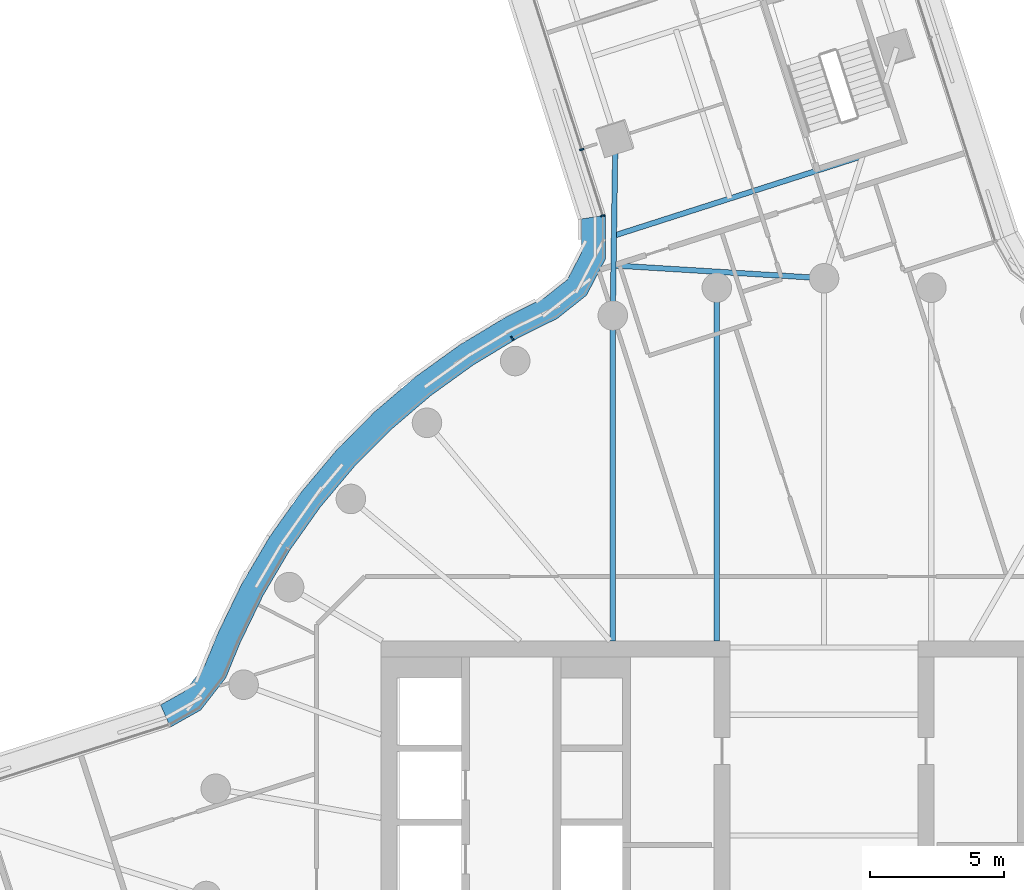
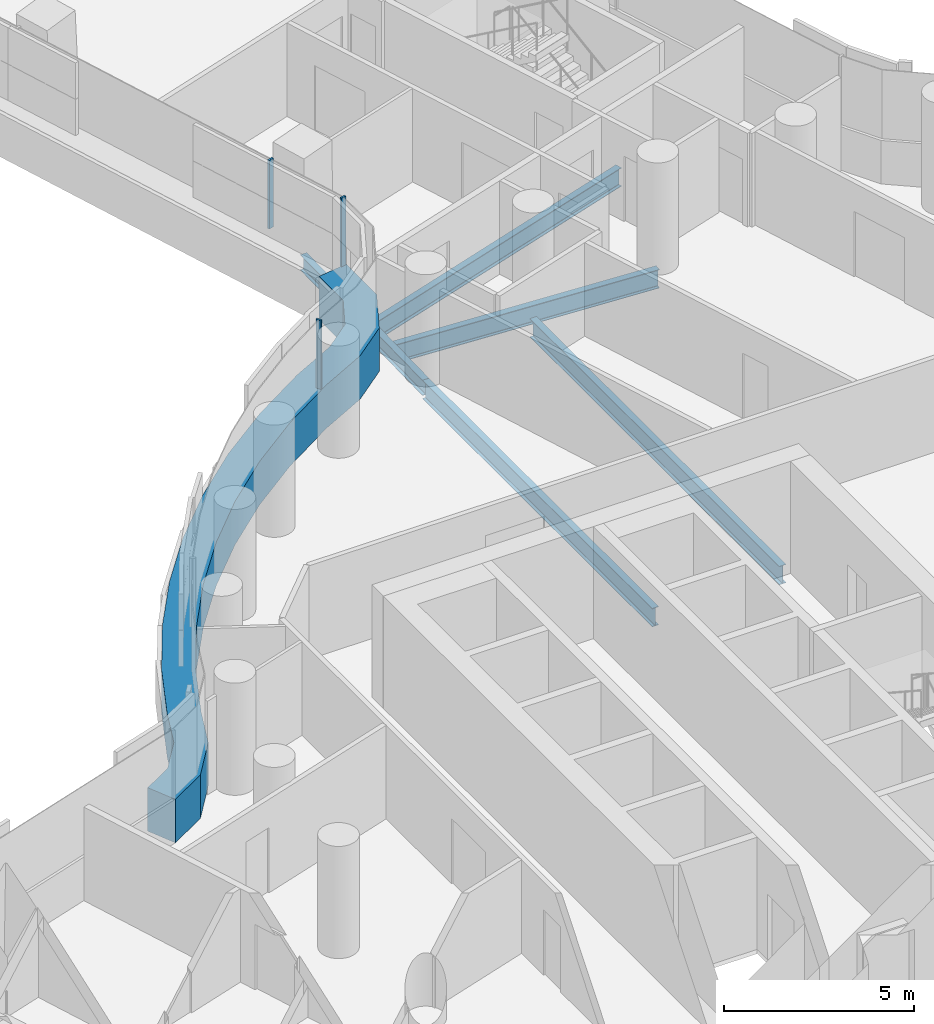
# One storey, part 13 of 30: 5 beams, 4 members, 2 elements without a shape of their own.
"""IFC4 building model written with IfcOpenShell, lengths in metres."""

from ifc_helpers import new_model, si_unit, direction, frame, origin, origin_2d, place, context, subcontext, project, spatial, polyline, rectangle, i_section, outline, extrude, material, layer, layer_set, material_profile, profile_set, type_object, element, aggregate, save


model = new_model("IFC4")

# Units and contexts
model_context = context("Model", 3, precision=1e-05, world=origin(), true_north=direction((0.0, 1.0)))
body_context = subcontext(model_context, "Body", "Model", "MODEL_VIEW")
ifc_project = project(units=[si_unit("LENGTHUNIT", "METRE"), si_unit("AREAUNIT", "SQUARE_METRE"), si_unit("VOLUMEUNIT", "CUBIC_METRE"), si_unit("PLANEANGLEUNIT", "RADIAN"), si_unit("MASSUNIT", "GRAM", prefix="KILO")], contexts=[model_context])

# Site, building, storey
site_placement = place(None, origin())
site = spatial("IfcSite", under=ifc_project, at=site_placement, CompositionType="ELEMENT")
building_placement = place(site_placement, origin())
building = spatial("IfcBuilding", under=site, at=building_placement, Name="Tamarind Cross Interchange Tower", CompositionType="ELEMENT")
storey_placement = place(building_placement, frame((0.0, 0.0, 98.5)))
storey = spatial("IfcBuildingStorey", under=building, at=storey_placement, Name="L23", CompositionType="ELEMENT", Elevation=98.5)

# Beams
ifc_material_1 = material(Name="Steel Q355B", Category="steel")
ifc_material_profile_1 = material_profile(ifc_material_1, i_section(OverallWidth=0.198974609375, OverallDepth=0.49609375, WebThickness=0.009033203125, FlangeThickness=0.013916015625, FilletRadius=0.012939453125, at=origin_2d()), Name="HN 496x199x9x14")
ifc_profile_set_1 = profile_set([ifc_material_profile_1], Name="Steel Q355B")
beam_type_1 = type_object("IfcBeamType", Name="Composite beam HN 496x199x9x14 Q355B", PredefinedType="BEAM", material=ifc_profile_set_1)
beam_1_placement = place(storey_placement, frame((-7.769775390625, 28.2265625, -0.387939453125), z_axis=(-0.014616918092, -0.999893167146, 0.0), x_axis=(0.999893167146, -0.014616918092, 0.0)))
element("IfcBeam", 1, at=beam_1_placement, inside=storey, type_object=beam_type_1, Name="Beam N-linkep", PredefinedType="BEAM", context=body_context, shape_type="SweptSolid", body=[
    extrude(i_section(OverallWidth=0.198974609375, OverallDepth=0.49609375, WebThickness=0.009033203125, FlangeThickness=0.013916015625, FilletRadius=0.012939453125, at=origin_2d()), origin(), (0.0, 0.0, 1.0), 6.6142578125),
])
ifc_material_profile_2 = material_profile(ifc_material_1, i_section(OverallWidth=0.198974609375, OverallDepth=0.595947265625, WebThickness=0.010009765625, FlangeThickness=0.014892578125, FilletRadius=0.012939453125, at=origin_2d()), Name="HN 596x199x10x15")
ifc_profile_set_2 = profile_set([ifc_material_profile_2], Name="Steel Q355B")
beam_type_2 = type_object("IfcBeamType", Name="Composite beam HN 596x199x10x15 Q355B", PredefinedType="BEAM", material=ifc_profile_set_2)
beam_2_placement = place(storey_placement, frame((-3.993896484375, 22.650634765625, -0.43798828125), z_axis=(0.0, -1.0, 0.0), x_axis=(1.0, 0.0, 0.0)))
element("IfcBeam", 2, at=beam_2_placement, inside=storey, type_object=beam_type_2, Name="Beam HH10", PredefinedType="BEAM", context=body_context, shape_type="SweptSolid", body=[
    extrude(i_section(OverallWidth=0.198974609375, OverallDepth=0.595947265625, WebThickness=0.010009765625, FlangeThickness=0.014892578125, FilletRadius=0.012939453125, at=origin_2d()), origin(), (0.0, 0.0, 1.0), 13.150634765625),
])
beam_3_placement = place(storey_placement, frame((-7.866455078125, 21.613037109375, -0.43798828125), z_axis=(0.0, -1.0, 0.0), x_axis=(1.0, 0.0, 0.0)))
element("IfcBeam", 3, at=beam_3_placement, inside=storey, type_object=beam_type_2, Name="Beam HH11", PredefinedType="BEAM", context=body_context, shape_type="SweptSolid", body=[
    extrude(i_section(OverallWidth=0.198974609375, OverallDepth=0.595947265625, WebThickness=0.010009765625, FlangeThickness=0.014892578125, FilletRadius=0.012939453125, at=origin_2d()), origin(), (0.0, 0.0, 1.0), 12.113037109375),
])
ifc_material_profile_3 = material_profile(ifc_material_1, i_section(OverallWidth=0.199951171875, OverallDepth=0.60009765625, WebThickness=0.010986328125, FlangeThickness=0.01708984375, FilletRadius=0.012939453125, at=origin_2d()), Name="HN 600x200x11x17")
ifc_profile_set_3 = profile_set([ifc_material_profile_3], Name="Steel Q355B")
beam_type_3 = type_object("IfcBeamType", Name="Composite beam HN 600x200x11x17 Q355B", PredefinedType="BEAM", material=ifc_profile_set_3)
beam_4_placement = place(storey_placement, frame((1.435302734375, 27.552490234375, -0.43994140625), z_axis=(-0.952336923316, -0.305048167489, 0.0), x_axis=(0.305048167489, -0.952336923316, 0.0)))
element("IfcBeam", 4, at=beam_4_placement, inside=storey, type_object=beam_type_3, Name="Beam N-x268", PredefinedType="BEAM", context=body_context, shape_type="SweptSolid", body=[
    extrude(i_section(OverallWidth=0.199951171875, OverallDepth=0.60009765625, WebThickness=0.010986328125, FlangeThickness=0.01708984375, FilletRadius=0.012939453125, at=origin_2d()), origin(), (0.0, 0.0, 1.0), 9.7216796875),
])
beam_5_placement = place(storey_placement, frame((0.0, 23.0, -0.43994140625), z_axis=(-0.998138339996, 0.060990607714, 0.0), x_axis=(-0.060990607714, -0.998138339996, 0.0)))
element("IfcBeam", 5, at=beam_5_placement, inside=storey, type_object=beam_type_3, Name="Beam N-x258", PredefinedType="BEAM", context=body_context, shape_type="SweptSolid", body=[
    extrude(i_section(OverallWidth=0.199951171875, OverallDepth=0.60009765625, WebThickness=0.010986328125, FlangeThickness=0.01708984375, FilletRadius=0.012939453125, at=origin_2d()), origin(), (0.0, 0.0, 1.0), 7.853759765625),
])

# Curtain wall, member
ifc_material_2 = material(Name="Aluminium 6063-T6", Category="aluminium")
ifc_layer = layer(ifc_material_2, 0.159912109375)
ifc_layer_set = layer_set([ifc_layer], Name="Aluminium 6063-T6")
curtain_wall_type = type_object("IfcCurtainWallType", Name="Office curtain wall, 9.0 m bays", PredefinedType="NOTDEFINED", material=ifc_layer_set)
curtain_wall_1_placement = place(storey_placement, origin())
curtain_wall_1 = element("IfcCurtainWall", 6, at=curtain_wall_1_placement, inside=storey, type_object=curtain_wall_type, Name="CWS-L23-06", PredefinedType="NOTDEFINED")
ifc_material_3 = material(Name="Aluminium and insulated spandrel panel", Category="aluminium")
member_type_1 = type_object("IfcMemberType", Name="Floor-edge blade transom", PredefinedType="USERDEFINED", material=ifc_material_3)
member_1_placement = place(storey_placement, origin())
member_1 = element("IfcMember", 7, at=member_1_placement, type_object=member_type_1, Name="CWT-L23-06", ObjectType="TRANSOM", PredefinedType="USERDEFINED", context=body_context, shape_type="SweptSolid", body=[
    extrude(outline(polyline([(-8.137451171875, 25.348388671875), (-8.1376953125, 23.718017578125), (-8.845458984375, 22.364013671875), (-9.9306640625, 21.503173828125), (-11.367431640625, 20.791015625), (-13.045654296875, 19.78125), (-14.634521484375, 18.636474609375), (-16.12353515625, 17.3642578125), (-17.50244140625, 15.973388671875), (-18.76171875, 14.4736328125), (-19.892822265625, 12.874755859375), (-20.88818359375, 11.188232421875), (-21.7421875, 9.421875), (-22.278076171875, 8.11767578125), (-23.21044921875, 6.9208984375), (-24.342529296875, 6.284912109375), (-24.7041015625, 7.1142578125), (-23.80908203125, 7.616943359375), (-23.063720703125, 8.57373046875), (-22.564208984375, 9.789306640625), (-21.68212890625, 11.613525390625), (-20.64892578125, 13.3642578125), (-19.474853515625, 15.023681640625), (-18.167724609375, 16.580810546875), (-16.736572265625, 18.0244140625), (-15.19091796875, 19.344970703125), (-13.54150390625, 20.533203125), (-11.7998046875, 21.581298828125), (-10.41552734375, 22.267333984375), (-9.554443359375, 22.9501953125), (-9.03759765625, 23.939208984375), (-9.037353515625, 25.20849609375), (-8.137451171875, 25.348388671875)])), origin(), (0.0, 0.0, 1.0), 1.39990234375),
])

curtain_wall_2_placement = place(storey_placement, origin())
curtain_wall_2 = element("IfcCurtainWall", 8, at=curtain_wall_2_placement, inside=storey, type_object=curtain_wall_type, Name="CWS-L23-05", PredefinedType="NOTDEFINED")
ifc_material_profile_4 = material_profile(ifc_material_2, rectangle(XDim=0.06005859375, YDim=0.159912109375, at=origin_2d()), Name="Mullion CW1")
ifc_profile_set_4 = profile_set([ifc_material_profile_4], Name="Aluminium 6063-T6")
member_type_2 = type_object("IfcMemberType", Name="Mullion CW1", PredefinedType="MULLION", material=ifc_profile_set_4)
member_2_placement = place(storey_placement, frame((-9.021728515625, 27.793212890625, 1.39990234375), z_axis=(0.0, 0.0, 1.0), x_axis=(0.303682573614, -0.952773264992, 0.0)))
member_2 = element("IfcMember", 9, at=member_2_placement, type_object=member_type_2, Name="CWM-L23-05-02", PredefinedType="MULLION", context=body_context, shape_type="SweptSolid", body=[
    extrude(rectangle(XDim=0.06005859375, YDim=0.159912109375, at=origin_2d()), origin(), (0.0, 0.0, 1.0), 2.210205078125),
])
aggregate(curtain_wall_2, [member_2])

# Member
member_3_placement = place(storey_placement, frame((-8.2373046875, 25.332763671875, 1.39990234375), z_axis=(0.0, 0.0, 1.0), x_axis=(0.153604377977, -0.988132427899, 0.0)))
member_3 = element("IfcMember", 10, at=member_3_placement, type_object=member_type_2, Name="CWM-L23-06-00", PredefinedType="MULLION", context=body_context, shape_type="SweptSolid", body=[
    extrude(rectangle(XDim=0.06005859375, YDim=0.159912109375, at=origin_2d()), origin(), (0.0, 0.0, 1.0), 2.210205078125),
])

member_4_placement = place(storey_placement, frame((-11.608154296875, 20.762939453125, 1.39990234375), z_axis=(0.0, 0.0, 1.0), x_axis=(-0.856843065292, -0.515577308909, 0.0)))
member_4 = element("IfcMember", 11, at=member_4_placement, type_object=member_type_2, Name="CWM-L23-06-01", PredefinedType="MULLION", context=body_context, shape_type="SweptSolid", body=[
    extrude(rectangle(XDim=0.06005859375, YDim=0.159912109375, at=origin_2d()), origin(), (0.0, 0.0, 1.0), 2.210205078125),
])

aggregate(curtain_wall_1, [member_3, member_4, member_1])

save(model, "model.ifc")
